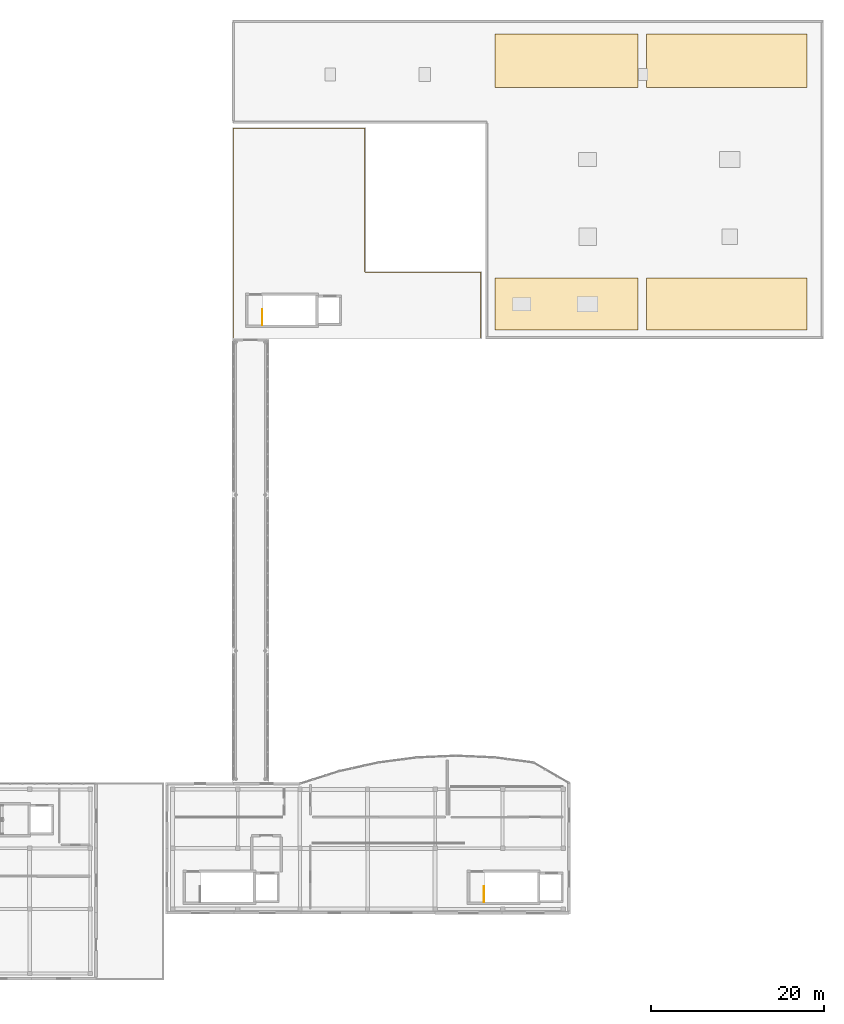
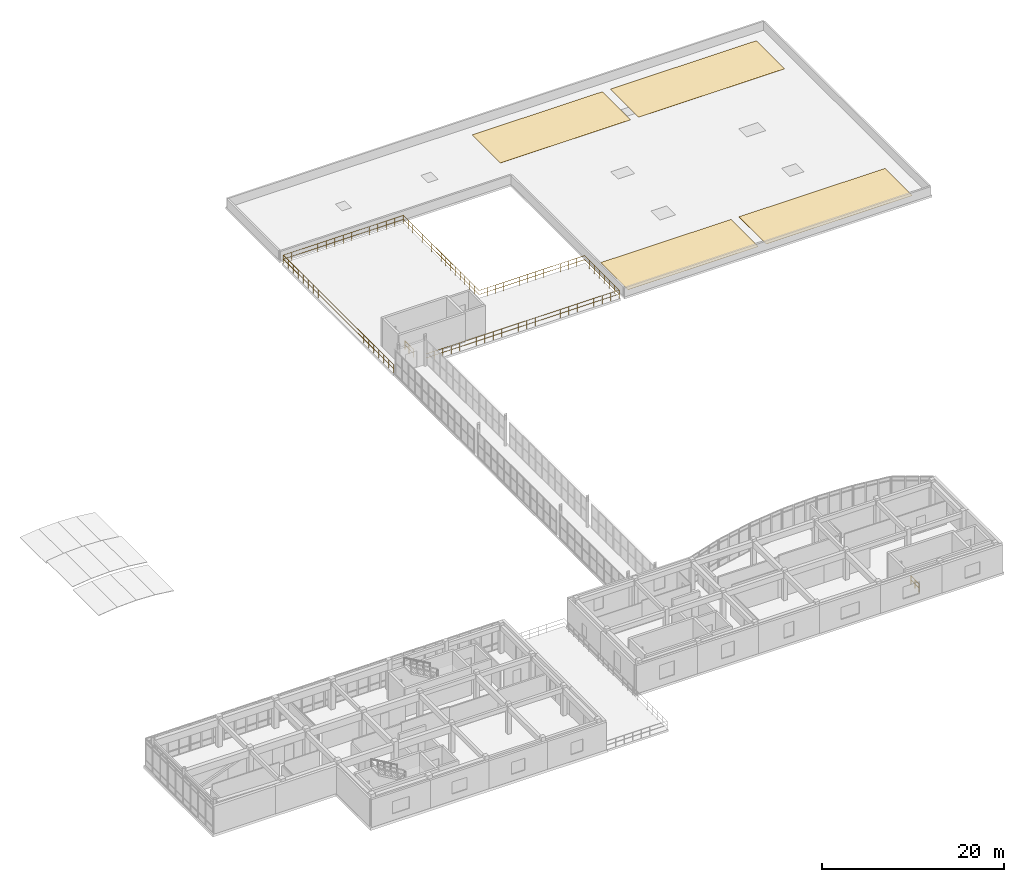
# One storey, part 52 of 52: 4 coverings, 3 railings.
"""IFC4 building model written with IfcOpenShell, lengths in metres."""

from ifc_helpers import new_model, si_unit, direction, frame, origin, origin_2d, place, context, subcontext, project, spatial, polyline, circle, outline, extrude, material, layer, layer_set, type_object, element, save


model = new_model("IFC4")

# Units and contexts
model_context = context("Model", 3, precision=1e-05, world=origin(), true_north=direction((0.0, 1.0)))
body_context = subcontext(model_context, "Body", "Model", "MODEL_VIEW")
ifc_project = project(units=[si_unit("LENGTHUNIT", "METRE"), si_unit("AREAUNIT", "SQUARE_METRE"), si_unit("VOLUMEUNIT", "CUBIC_METRE"), si_unit("PLANEANGLEUNIT", "RADIAN"), si_unit("MASSUNIT", "GRAM", prefix="KILO")], contexts=[model_context])

# Site, building, storey
site_placement = place(None, origin())
site = spatial("IfcSite", under=ifc_project, at=site_placement, CompositionType="ELEMENT")
building_placement = place(site_placement, origin())
building = spatial("IfcBuilding", under=site, at=building_placement, Name="Valcora Specialist Clinic", CompositionType="ELEMENT")
storey_placement = place(building_placement, frame((0.0, 0.0, 17.679931640625)))
storey = spatial("IfcBuildingStorey", under=building, at=storey_placement, Name="L04", CompositionType="ELEMENT", Elevation=17.679931640625)

# Coverings
ifc_material_1 = material(Name="Modified Bitumen and TPO Roofing Membrane")
ifc_layer = layer(ifc_material_1, 0.014892578125)
ifc_layer_set = layer_set([ifc_layer], Name="Modified Bitumen and TPO Roofing Membrane")
covering_type = type_object("IfcCoveringType", Name="TY-CV-RFG015", PredefinedType="ROOFING", material=ifc_layer_set)
covering_1_placement = place(storey_placement, origin())
element("IfcCovering", 1, at=covering_1_placement, inside=storey, type_object=covering_type, Name="Roof waterproofing membrane 5", PredefinedType="ROOFING", context=body_context, shape_type="SweptSolid", body=[
    extrude(outline(polyline([(91.5, 75.0), (108.0, 75.0), (108.0, 81.0), (91.5, 81.0), (91.5, 75.0)])), origin(), (0.0, 0.0, 1.0), 0.01513671875),
])
covering_2_placement = place(storey_placement, origin())
element("IfcCovering", 2, at=covering_2_placement, inside=storey, type_object=covering_type, Name="Roof waterproofing membrane 6", PredefinedType="ROOFING", context=body_context, shape_type="SweptSolid", body=[
    extrude(outline(polyline([(109.0, 75.0), (127.5, 75.0), (127.5, 81.0), (109.0, 81.0), (109.0, 75.0)])), origin(), (0.0, 0.0, 1.0), 0.01513671875),
])
covering_3_placement = place(storey_placement, origin())
element("IfcCovering", 3, at=covering_3_placement, inside=storey, type_object=covering_type, Name="Roof waterproofing membrane 7", PredefinedType="ROOFING", context=body_context, shape_type="SweptSolid", body=[
    extrude(outline(polyline([(91.5, 103.0), (108.0, 103.0), (108.0, 109.199951171875), (91.5, 109.199951171875), (91.5, 103.0)])), origin(), (0.0, 0.0, 1.0), 0.01513671875),
])
covering_4_placement = place(storey_placement, origin())
element("IfcCovering", 4, at=covering_4_placement, inside=storey, type_object=covering_type, Name="Roof waterproofing membrane 8", PredefinedType="ROOFING", context=body_context, shape_type="SweptSolid", body=[
    extrude(outline(polyline([(109.0, 103.0), (127.5, 103.0), (127.5, 109.199951171875), (109.0, 109.199951171875), (109.0, 103.0)])), origin(), (0.0, 0.0, 1.0), 0.01513671875),
])

# Railings
ifc_material_2 = material(Name="Stainless Steel AISI 316", Category="steel")
railing_type_1 = type_object("IfcRailingType", Name="TY-RL-BAL112", PredefinedType="BALUSTRADE", material=ifc_material_2)
railing_1_placement = place(storey_placement, frame((61.300048828125, 74.10009765625, 0.0)))
element("IfcRailing", 5, at=railing_1_placement, inside=storey, type_object=railing_type_1, Name="Perimeter terrace guard 2", PredefinedType="BALUSTRADE", context=body_context, shape_type="SweptSolid", body=[
    extrude(circle(Radius=0.02392578125, at=origin_2d()), frame((0.0, 0.0, 1.09619140625), z_axis=(0.0, 1.0, 0.0), x_axis=(-1.0, 0.0, 0.0)), (0.0, 0.0, 1.0), 24.199951171875),
    extrude(circle(Radius=0.02392578125, at=origin_2d()), frame((0.0, 0.0, 0.56005859375), z_axis=(0.0, 1.0, 0.0), x_axis=(-1.0, 0.0, 0.0)), (0.0, 0.0, 1.0), 24.199951171875),
    extrude(circle(Radius=0.02392578125, at=origin_2d()), frame((0.0, 24.199951171875, 1.09619140625), z_axis=(1.0, 0.0, 0.0), x_axis=(0.0, 1.0, 0.0)), (0.0, 0.0, 1.0), 15.199951171875),
    extrude(circle(Radius=0.02392578125, at=origin_2d()), frame((0.0, 24.199951171875, 0.56005859375), z_axis=(1.0, 0.0, 0.0), x_axis=(0.0, 1.0, 0.0)), (0.0, 0.0, 1.0), 15.199951171875),
    extrude(circle(Radius=0.02392578125, at=origin_2d()), frame((15.199951171875, 24.199951171875, 1.09619140625), z_axis=(0.0, -1.0, 0.0), x_axis=(1.0, 0.0, 0.0)), (0.0, 0.0, 1.0), 16.60009765625),
    extrude(circle(Radius=0.02392578125, at=origin_2d()), frame((15.199951171875, 24.199951171875, 0.56005859375), z_axis=(0.0, -1.0, 0.0), x_axis=(1.0, 0.0, 0.0)), (0.0, 0.0, 1.0), 16.60009765625),
    extrude(circle(Radius=0.02392578125, at=origin_2d()), frame((15.199951171875, 7.599853515625, 1.09619140625), z_axis=(1.0, 0.0, 0.0), x_axis=(0.0, 1.0, 0.0)), (0.0, 0.0, 1.0), 13.35009765625),
    extrude(circle(Radius=0.02392578125, at=origin_2d()), frame((15.199951171875, 7.599853515625, 0.56005859375), z_axis=(1.0, 0.0, 0.0), x_axis=(0.0, 1.0, 0.0)), (0.0, 0.0, 1.0), 13.35009765625),
    extrude(circle(Radius=0.02392578125, at=origin_2d()), frame((28.550048828125, 7.599853515625, 1.09619140625), z_axis=(0.0, -1.0, 0.0), x_axis=(1.0, 0.0, 0.0)), (0.0, 0.0, 1.0), 7.599853515625),
    extrude(circle(Radius=0.02392578125, at=origin_2d()), frame((28.550048828125, 7.599853515625, 0.56005859375), z_axis=(0.0, -1.0, 0.0), x_axis=(1.0, 0.0, 0.0)), (0.0, 0.0, 1.0), 7.599853515625),
    extrude(circle(Radius=0.02392578125, at=origin_2d()), frame((28.550048828125, 0.0, 1.09619140625), z_axis=(-1.0, 0.0, 0.0), x_axis=(0.0, -1.0, 0.0)), (0.0, 0.0, 1.0), 24.4501953125),
    extrude(circle(Radius=0.02392578125, at=origin_2d()), frame((28.550048828125, 0.0, 0.56005859375), z_axis=(-1.0, 0.0, 0.0), x_axis=(0.0, -1.0, 0.0)), (0.0, 0.0, 1.0), 24.4501953125),
    extrude(circle(Radius=0.02099609375, at=origin_2d()), origin(), (0.0, 0.0, 1.0), 1.072021484375),
    extrude(circle(Radius=0.02099609375, at=origin_2d()), frame((0.0, 1.10009765625, 0.0)), (0.0, 0.0, 1.0), 1.072021484375),
    extrude(circle(Radius=0.02099609375, at=origin_2d()), frame((0.0, 2.199951171875, 0.0)), (0.0, 0.0, 1.0), 1.072021484375),
    extrude(circle(Radius=0.02099609375, at=origin_2d()), frame((0.0, 3.300048828125, 0.0)), (0.0, 0.0, 1.0), 1.072021484375),
    extrude(circle(Radius=0.02099609375, at=origin_2d()), frame((0.0, 4.39990234375, 0.0)), (0.0, 0.0, 1.0), 1.072021484375),
    extrude(circle(Radius=0.02099609375, at=origin_2d()), frame((0.0, 5.5, 0.0)), (0.0, 0.0, 1.0), 1.072021484375),
    extrude(circle(Radius=0.02099609375, at=origin_2d()), frame((0.0, 6.60009765625, 0.0)), (0.0, 0.0, 1.0), 1.072021484375),
    extrude(circle(Radius=0.02099609375, at=origin_2d()), frame((0.0, 7.699951171875, 0.0)), (0.0, 0.0, 1.0), 1.072021484375),
    extrude(circle(Radius=0.02099609375, at=origin_2d()), frame((0.0, 8.800048828125, 0.0)), (0.0, 0.0, 1.0), 1.072021484375),
    extrude(circle(Radius=0.02099609375, at=origin_2d()), frame((0.0, 9.89990234375, 0.0)), (0.0, 0.0, 1.0), 1.072021484375),
    extrude(circle(Radius=0.02099609375, at=origin_2d()), frame((0.0, 11.0, 0.0)), (0.0, 0.0, 1.0), 1.072021484375),
    extrude(circle(Radius=0.02099609375, at=origin_2d()), frame((0.0, 12.10009765625, 0.0)), (0.0, 0.0, 1.0), 1.072021484375),
    extrude(circle(Radius=0.02099609375, at=origin_2d()), frame((0.0, 13.199951171875, 0.0)), (0.0, 0.0, 1.0), 1.072021484375),
    extrude(circle(Radius=0.02099609375, at=origin_2d()), frame((0.0, 14.300048828125, 0.0)), (0.0, 0.0, 1.0), 1.072021484375),
    extrude(circle(Radius=0.02099609375, at=origin_2d()), frame((0.0, 15.39990234375, 0.0)), (0.0, 0.0, 1.0), 1.072021484375),
    extrude(circle(Radius=0.02099609375, at=origin_2d()), frame((0.0, 16.5, 0.0)), (0.0, 0.0, 1.0), 1.072021484375),
    extrude(circle(Radius=0.02099609375, at=origin_2d()), frame((0.0, 17.599853515625, 0.0)), (0.0, 0.0, 1.0), 1.072021484375),
    extrude(circle(Radius=0.02099609375, at=origin_2d()), frame((0.0, 18.699951171875, 0.0)), (0.0, 0.0, 1.0), 1.072021484375),
    extrude(circle(Radius=0.02099609375, at=origin_2d()), frame((0.0, 19.800048828125, 0.0)), (0.0, 0.0, 1.0), 1.072021484375),
    extrude(circle(Radius=0.02099609375, at=origin_2d()), frame((0.0, 20.89990234375, 0.0)), (0.0, 0.0, 1.0), 1.072021484375),
    extrude(circle(Radius=0.02099609375, at=origin_2d()), frame((0.0, 22.0, 0.0)), (0.0, 0.0, 1.0), 1.072021484375),
    extrude(circle(Radius=0.02099609375, at=origin_2d()), frame((0.0, 23.099853515625, 0.0)), (0.0, 0.0, 1.0), 1.072021484375),
    extrude(circle(Radius=0.02099609375, at=origin_2d()), frame((0.0, 24.199951171875, 0.0)), (0.0, 0.0, 1.0), 1.072021484375),
    extrude(circle(Radius=0.02099609375, at=origin_2d()), frame((1.085693359375, 24.199951171875, 0.0)), (0.0, 0.0, 1.0), 1.072021484375),
    extrude(circle(Radius=0.02099609375, at=origin_2d()), frame((2.17138671875, 24.199951171875, 0.0)), (0.0, 0.0, 1.0), 1.072021484375),
    extrude(circle(Radius=0.02099609375, at=origin_2d()), frame((3.257080078125, 24.199951171875, 0.0)), (0.0, 0.0, 1.0), 1.072021484375),
    extrude(circle(Radius=0.02099609375, at=origin_2d()), frame((4.3427734375, 24.199951171875, 0.0)), (0.0, 0.0, 1.0), 1.072021484375),
    extrude(circle(Radius=0.02099609375, at=origin_2d()), frame((5.428466796875, 24.199951171875, 0.0)), (0.0, 0.0, 1.0), 1.072021484375),
    extrude(circle(Radius=0.02099609375, at=origin_2d()), frame((6.51416015625, 24.199951171875, 0.0)), (0.0, 0.0, 1.0), 1.072021484375),
    extrude(circle(Radius=0.02099609375, at=origin_2d()), frame((7.60009765625, 24.199951171875, 0.0)), (0.0, 0.0, 1.0), 1.072021484375),
    extrude(circle(Radius=0.02099609375, at=origin_2d()), frame((8.685791015625, 24.199951171875, 0.0)), (0.0, 0.0, 1.0), 1.072021484375),
    extrude(circle(Radius=0.02099609375, at=origin_2d()), frame((9.771484375, 24.199951171875, 0.0)), (0.0, 0.0, 1.0), 1.072021484375),
    extrude(circle(Radius=0.02099609375, at=origin_2d()), frame((10.857177734375, 24.199951171875, 0.0)), (0.0, 0.0, 1.0), 1.072021484375),
    extrude(circle(Radius=0.02099609375, at=origin_2d()), frame((11.94287109375, 24.199951171875, 0.0)), (0.0, 0.0, 1.0), 1.072021484375),
    extrude(circle(Radius=0.02099609375, at=origin_2d()), frame((13.028564453125, 24.199951171875, 0.0)), (0.0, 0.0, 1.0), 1.072021484375),
    extrude(circle(Radius=0.02099609375, at=origin_2d()), frame((14.1142578125, 24.199951171875, 0.0)), (0.0, 0.0, 1.0), 1.072021484375),
    extrude(circle(Radius=0.02099609375, at=origin_2d()), frame((15.199951171875, 24.199951171875, 0.0)), (0.0, 0.0, 1.0), 1.072021484375),
    extrude(circle(Radius=0.02099609375, at=origin_2d()), frame((15.199951171875, 23.162353515625, 0.0)), (0.0, 0.0, 1.0), 1.072021484375),
    extrude(circle(Radius=0.02099609375, at=origin_2d()), frame((15.199951171875, 22.125, 0.0)), (0.0, 0.0, 1.0), 1.072021484375),
    extrude(circle(Radius=0.02099609375, at=origin_2d()), frame((15.199951171875, 21.08740234375, 0.0)), (0.0, 0.0, 1.0), 1.072021484375),
    extrude(circle(Radius=0.02099609375, at=origin_2d()), frame((15.199951171875, 20.0498046875, 0.0)), (0.0, 0.0, 1.0), 1.072021484375),
    extrude(circle(Radius=0.02099609375, at=origin_2d()), frame((15.199951171875, 19.012451171875, 0.0)), (0.0, 0.0, 1.0), 1.072021484375),
    extrude(circle(Radius=0.02099609375, at=origin_2d()), frame((15.199951171875, 17.974853515625, 0.0)), (0.0, 0.0, 1.0), 1.072021484375),
    extrude(circle(Radius=0.02099609375, at=origin_2d()), frame((15.199951171875, 16.9375, 0.0)), (0.0, 0.0, 1.0), 1.072021484375),
    extrude(circle(Radius=0.02099609375, at=origin_2d()), frame((15.199951171875, 15.89990234375, 0.0)), (0.0, 0.0, 1.0), 1.072021484375),
    extrude(circle(Radius=0.02099609375, at=origin_2d()), frame((15.199951171875, 14.8623046875, 0.0)), (0.0, 0.0, 1.0), 1.072021484375),
    extrude(circle(Radius=0.02099609375, at=origin_2d()), frame((15.199951171875, 13.824951171875, 0.0)), (0.0, 0.0, 1.0), 1.072021484375),
    extrude(circle(Radius=0.02099609375, at=origin_2d()), frame((15.199951171875, 12.787353515625, 0.0)), (0.0, 0.0, 1.0), 1.072021484375),
    extrude(circle(Radius=0.02099609375, at=origin_2d()), frame((15.199951171875, 11.75, 0.0)), (0.0, 0.0, 1.0), 1.072021484375),
    extrude(circle(Radius=0.02099609375, at=origin_2d()), frame((15.199951171875, 10.71240234375, 0.0)), (0.0, 0.0, 1.0), 1.072021484375),
    extrude(circle(Radius=0.02099609375, at=origin_2d()), frame((15.199951171875, 9.6748046875, 0.0)), (0.0, 0.0, 1.0), 1.072021484375),
    extrude(circle(Radius=0.02099609375, at=origin_2d()), frame((15.199951171875, 8.637451171875, 0.0)), (0.0, 0.0, 1.0), 1.072021484375),
    extrude(circle(Radius=0.02099609375, at=origin_2d()), frame((15.199951171875, 7.599853515625, 0.0)), (0.0, 0.0, 1.0), 1.072021484375),
    extrude(circle(Radius=0.02099609375, at=origin_2d()), frame((16.226806640625, 7.599853515625, 0.0)), (0.0, 0.0, 1.0), 1.072021484375),
    extrude(circle(Radius=0.02099609375, at=origin_2d()), frame((17.25390625, 7.599853515625, 0.0)), (0.0, 0.0, 1.0), 1.072021484375),
    extrude(circle(Radius=0.02099609375, at=origin_2d()), frame((18.28076171875, 7.599853515625, 0.0)), (0.0, 0.0, 1.0), 1.072021484375),
    extrude(circle(Radius=0.02099609375, at=origin_2d()), frame((19.3076171875, 7.599853515625, 0.0)), (0.0, 0.0, 1.0), 1.072021484375),
    extrude(circle(Radius=0.02099609375, at=origin_2d()), frame((20.334716796875, 7.599853515625, 0.0)), (0.0, 0.0, 1.0), 1.072021484375),
    extrude(circle(Radius=0.02099609375, at=origin_2d()), frame((21.361572265625, 7.599853515625, 0.0)), (0.0, 0.0, 1.0), 1.072021484375),
    extrude(circle(Radius=0.02099609375, at=origin_2d()), frame((22.388427734375, 7.599853515625, 0.0)), (0.0, 0.0, 1.0), 1.072021484375),
    extrude(circle(Radius=0.02099609375, at=origin_2d()), frame((23.415283203125, 7.599853515625, 0.0)), (0.0, 0.0, 1.0), 1.072021484375),
    extrude(circle(Radius=0.02099609375, at=origin_2d()), frame((24.4423828125, 7.599853515625, 0.0)), (0.0, 0.0, 1.0), 1.072021484375),
    extrude(circle(Radius=0.02099609375, at=origin_2d()), frame((25.46923828125, 7.599853515625, 0.0)), (0.0, 0.0, 1.0), 1.072021484375),
    extrude(circle(Radius=0.02099609375, at=origin_2d()), frame((26.49609375, 7.599853515625, 0.0)), (0.0, 0.0, 1.0), 1.072021484375),
    extrude(circle(Radius=0.02099609375, at=origin_2d()), frame((27.523193359375, 7.599853515625, 0.0)), (0.0, 0.0, 1.0), 1.072021484375),
    extrude(circle(Radius=0.02099609375, at=origin_2d()), frame((28.550048828125, 7.599853515625, 0.0)), (0.0, 0.0, 1.0), 1.072021484375),
    extrude(circle(Radius=0.02099609375, at=origin_2d()), frame((28.550048828125, 6.51416015625, 0.0)), (0.0, 0.0, 1.0), 1.072021484375),
    extrude(circle(Radius=0.02099609375, at=origin_2d()), frame((28.550048828125, 5.428466796875, 0.0)), (0.0, 0.0, 1.0), 1.072021484375),
    extrude(circle(Radius=0.02099609375, at=origin_2d()), frame((28.550048828125, 4.3427734375, 0.0)), (0.0, 0.0, 1.0), 1.072021484375),
    extrude(circle(Radius=0.02099609375, at=origin_2d()), frame((28.550048828125, 3.257080078125, 0.0)), (0.0, 0.0, 1.0), 1.072021484375),
    extrude(circle(Radius=0.02099609375, at=origin_2d()), frame((28.550048828125, 2.17138671875, 0.0)), (0.0, 0.0, 1.0), 1.072021484375),
    extrude(circle(Radius=0.02099609375, at=origin_2d()), frame((28.550048828125, 1.085693359375, 0.0)), (0.0, 0.0, 1.0), 1.072021484375),
    extrude(circle(Radius=0.02099609375, at=origin_2d()), frame((28.550048828125, 0.0, 0.0)), (0.0, 0.0, 1.0), 1.072021484375),
    extrude(circle(Radius=0.02099609375, at=origin_2d()), frame((27.487060546875, 0.0, 0.0)), (0.0, 0.0, 1.0), 1.072021484375),
    extrude(circle(Radius=0.02099609375, at=origin_2d()), frame((26.423828125, 0.0, 0.0)), (0.0, 0.0, 1.0), 1.072021484375),
    extrude(circle(Radius=0.02099609375, at=origin_2d()), frame((25.36083984375, 0.0, 0.0)), (0.0, 0.0, 1.0), 1.072021484375),
    extrude(circle(Radius=0.02099609375, at=origin_2d()), frame((24.2978515625, 0.0, 0.0)), (0.0, 0.0, 1.0), 1.072021484375),
    extrude(circle(Radius=0.02099609375, at=origin_2d()), frame((23.23486328125, 0.0, 0.0)), (0.0, 0.0, 1.0), 1.072021484375),
    extrude(circle(Radius=0.02099609375, at=origin_2d()), frame((22.171630859375, 0.0, 0.0)), (0.0, 0.0, 1.0), 1.072021484375),
    extrude(circle(Radius=0.02099609375, at=origin_2d()), frame((21.108642578125, 0.0, 0.0)), (0.0, 0.0, 1.0), 1.072021484375),
    extrude(circle(Radius=0.02099609375, at=origin_2d()), frame((20.045654296875, 0.0, 0.0)), (0.0, 0.0, 1.0), 1.072021484375),
    extrude(circle(Radius=0.02099609375, at=origin_2d()), frame((18.982666015625, 0.0, 0.0)), (0.0, 0.0, 1.0), 1.072021484375),
    extrude(circle(Radius=0.02099609375, at=origin_2d()), frame((17.91943359375, 0.0, 0.0)), (0.0, 0.0, 1.0), 1.072021484375),
    extrude(circle(Radius=0.02099609375, at=origin_2d()), frame((16.8564453125, 0.0, 0.0)), (0.0, 0.0, 1.0), 1.072021484375),
    extrude(circle(Radius=0.02099609375, at=origin_2d()), frame((15.79345703125, 0.0, 0.0)), (0.0, 0.0, 1.0), 1.072021484375),
    extrude(circle(Radius=0.02099609375, at=origin_2d()), frame((14.73046875, 0.0, 0.0)), (0.0, 0.0, 1.0), 1.072021484375),
    extrude(circle(Radius=0.02099609375, at=origin_2d()), frame((13.667236328125, 0.0, 0.0)), (0.0, 0.0, 1.0), 1.072021484375),
    extrude(circle(Radius=0.02099609375, at=origin_2d()), frame((12.604248046875, 0.0, 0.0)), (0.0, 0.0, 1.0), 1.072021484375),
    extrude(circle(Radius=0.02099609375, at=origin_2d()), frame((11.541259765625, 0.0, 0.0)), (0.0, 0.0, 1.0), 1.072021484375),
    extrude(circle(Radius=0.02099609375, at=origin_2d()), frame((10.478271484375, 0.0, 0.0)), (0.0, 0.0, 1.0), 1.072021484375),
    extrude(circle(Radius=0.02099609375, at=origin_2d()), frame((9.4150390625, 0.0, 0.0)), (0.0, 0.0, 1.0), 1.072021484375),
    extrude(circle(Radius=0.02099609375, at=origin_2d()), frame((8.35205078125, 0.0, 0.0)), (0.0, 0.0, 1.0), 1.072021484375),
    extrude(circle(Radius=0.02099609375, at=origin_2d()), frame((7.2890625, 0.0, 0.0)), (0.0, 0.0, 1.0), 1.072021484375),
    extrude(circle(Radius=0.02099609375, at=origin_2d()), frame((6.22607421875, 0.0, 0.0)), (0.0, 0.0, 1.0), 1.072021484375),
    extrude(circle(Radius=0.02099609375, at=origin_2d()), frame((5.162841796875, 0.0, 0.0)), (0.0, 0.0, 1.0), 1.072021484375),
    extrude(circle(Radius=0.02099609375, at=origin_2d()), frame((4.099853515625, 0.0, 0.0)), (0.0, 0.0, 1.0), 1.072021484375),
])
railing_type_2 = type_object("IfcRailingType", Name="TY-RL-GRD112", PredefinedType="GUARDRAIL", material=ifc_material_2)
railing_2_placement = place(storey_placement, frame((64.64990234375, 75.60009765625, 0.0)))
element("IfcRailing", 6, at=railing_2_placement, inside=storey, type_object=railing_type_2, Name="L04 ST-V4A top well guard 1", PredefinedType="GUARDRAIL", context=body_context, shape_type="SweptSolid", body=[
    extrude(circle(Radius=0.02392578125, at=origin_2d()), frame((0.0, 0.0, 1.09619140625), z_axis=(0.0, 1.0, 0.0), x_axis=(-1.0, 0.0, 0.0)), (0.0, 0.0, 1.0), 1.7998046875),
    extrude(circle(Radius=0.02392578125, at=origin_2d()), frame((0.0, 0.0, 0.56005859375), z_axis=(0.0, 1.0, 0.0), x_axis=(-1.0, 0.0, 0.0)), (0.0, 0.0, 1.0), 1.7998046875),
    extrude(circle(Radius=0.02099609375, at=origin_2d()), origin(), (0.0, 0.0, 1.0), 1.072021484375),
    extrude(circle(Radius=0.02099609375, at=origin_2d()), frame((0.0, 0.89990234375, 0.0)), (0.0, 0.0, 1.0), 1.072021484375),
    extrude(circle(Radius=0.02099609375, at=origin_2d()), frame((0.0, 1.7998046875, 0.0)), (0.0, 0.0, 1.0), 1.072021484375),
])
railing_3_placement = place(storey_placement, frame((90.25, 9.0, 0.0)))
element("IfcRailing", 7, at=railing_3_placement, inside=storey, type_object=railing_type_2, Name="L04 ST-V6B top well guard 1", PredefinedType="GUARDRAIL", context=body_context, shape_type="SweptSolid", body=[
    extrude(circle(Radius=0.02392578125, at=origin_2d()), frame((0.0, 0.0, 1.09619140625), z_axis=(0.0, 1.0, 0.0), x_axis=(-1.0, 0.0, 0.0)), (0.0, 0.0, 1.0), 1.800048828125),
    extrude(circle(Radius=0.02392578125, at=origin_2d()), frame((0.0, 0.0, 0.56005859375), z_axis=(0.0, 1.0, 0.0), x_axis=(-1.0, 0.0, 0.0)), (0.0, 0.0, 1.0), 1.800048828125),
    extrude(circle(Radius=0.02099609375, at=origin_2d()), origin(), (0.0, 0.0, 1.0), 1.072021484375),
    extrude(circle(Radius=0.02099609375, at=origin_2d()), frame((0.0, 0.89990234375, 0.0)), (0.0, 0.0, 1.0), 1.072021484375),
    extrude(circle(Radius=0.02099609375, at=origin_2d()), frame((0.0, 1.800048828125, 0.0)), (0.0, 0.0, 1.0), 1.072021484375),
])

save(model, "model.ifc")
